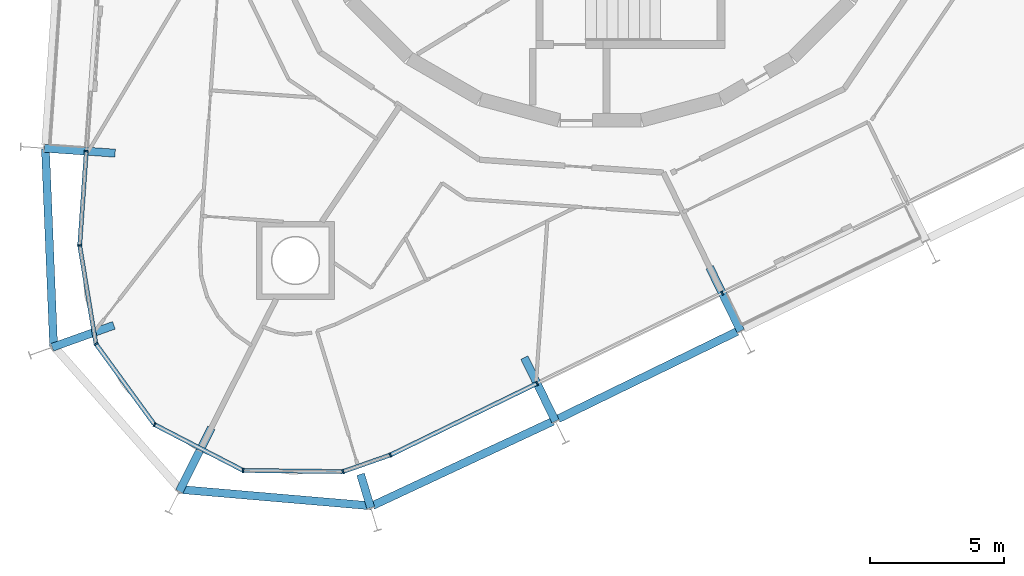
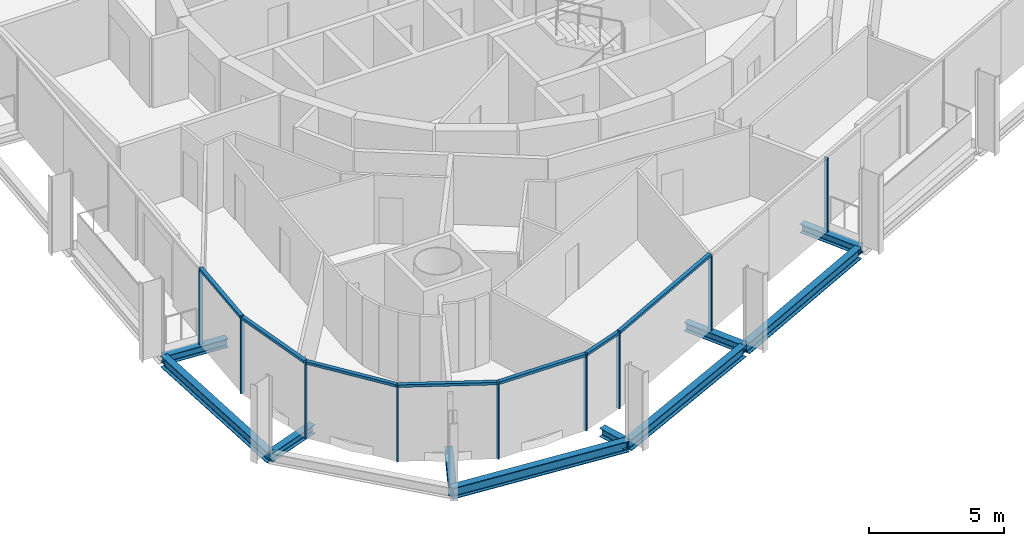
# One storey, part 2 of 17: 16 members, 10 beams, 2 elements without a shape of their own.
"""IFC4 building model written with IfcOpenShell, lengths in metres."""

from ifc_helpers import new_model, si_unit, direction, frame, origin, origin_2d, place, context, subcontext, project, spatial, rectangle, i_section, extrude, material, layer, layer_set, material_profile, profile_set, type_object, element, aggregate, save


model = new_model("IFC4")

# Units and contexts
model_context = context("Model", 3, precision=1e-05, world=origin(), true_north=direction((0.0, 1.0)))
body_context = subcontext(model_context, "Body", "Model", "MODEL_VIEW")
ifc_project = project(units=[si_unit("LENGTHUNIT", "METRE"), si_unit("AREAUNIT", "SQUARE_METRE"), si_unit("VOLUMEUNIT", "CUBIC_METRE"), si_unit("PLANEANGLEUNIT", "RADIAN"), si_unit("MASSUNIT", "GRAM", prefix="KILO")], contexts=[model_context])

# Site, building, storey
site_placement = place(None, origin())
site = spatial("IfcSite", under=ifc_project, at=site_placement, CompositionType="ELEMENT")
building_placement = place(site_placement, origin())
building = spatial("IfcBuilding", under=site, at=building_placement, Name="Spindle Arch Residences", CompositionType="ELEMENT")
storey_placement = place(building_placement, frame((0.0, 0.0, 191.89990234375)))
storey = spatial("IfcBuildingStorey", under=building, at=storey_placement, Name="L48", CompositionType="ELEMENT", Elevation=191.89990234375)

# Curtain wall, members
ifc_material_1 = material(Name="Aluminium bronze unitised frame with tinted glass", Category="aluminium")
ifc_layer_1 = layer(ifc_material_1, 0.159912109375)
ifc_layer_set_1 = layer_set([ifc_layer_1], Name="CW-D corner wall on the fillet arcs")
curtain_wall_type_1 = type_object("IfcCurtainWallType", Name="CW-D corner wall on the fillet arcs", PredefinedType="NOTDEFINED", material=ifc_layer_set_1)
curtain_wall_1_placement = place(storey_placement, origin())
curtain_wall_1 = element("IfcCurtainWall", 1, at=curtain_wall_1_placement, inside=storey, type_object=curtain_wall_type_1, Name="CW-D L48 run 5", PredefinedType="NOTDEFINED")
ifc_material_2 = material(Name="Aluminium bronze anodised mullion", Category="aluminium")
ifc_material_profile_1 = material_profile(ifc_material_2, rectangle(XDim=0.159912109375, YDim=0.06005859375, at=origin_2d()), Name="MU 60x160")
ifc_profile_set_1 = profile_set([ifc_material_profile_1], Name="Aluminium bronze anodised mullion")
member_type_1 = type_object("IfcMemberType", Name="Bronze mullion 60x160", PredefinedType="MULLION", material=ifc_profile_set_1)
member_1_placement = place(storey_placement, frame((-19.2001953125, -12.796875, -0.3798828125), z_axis=(0.0, 0.0, 1.0), x_axis=(0.99756405026, -0.069756473744, 0.0)))
member_1 = element("IfcMember", 2, at=member_1_placement, type_object=member_type_1, Name="CW-D mullion 00", PredefinedType="MULLION", context=body_context, shape_type="SweptSolid", body=[
    extrude(rectangle(XDim=0.159912109375, YDim=0.06005859375, at=origin_2d()), origin(), (0.0, 0.0, 1.0), 3.3798828125),
])
member_2_placement = place(storey_placement, frame((-19.4462890625, -16.31689453125, -0.3798828125), z_axis=(0.0, 0.0, 1.0), x_axis=(0.986761531666, 0.162177925821, 0.0)))
member_2 = element("IfcMember", 3, at=member_2_placement, type_object=member_type_1, Name="CW-D mullion 01", PredefinedType="MULLION", context=body_context, shape_type="SweptSolid", body=[
    extrude(rectangle(XDim=0.159912109375, YDim=0.06005859375, at=origin_2d()), origin(), (0.0, 0.0, 1.0), 3.3798828125),
])
member_3_placement = place(storey_placement, frame((-18.842041015625, -19.994140625, -0.3798828125), z_axis=(0.0, 0.0, 1.0), x_axis=(0.809016992641, 0.587785254679, 0.0)))
member_3 = element("IfcMember", 4, at=member_3_placement, type_object=member_type_1, Name="CW-D mullion 02", PredefinedType="MULLION", context=body_context, shape_type="SweptSolid", body=[
    extrude(rectangle(XDim=0.159912109375, YDim=0.06005859375, at=origin_2d()), origin(), (0.0, 0.0, 1.0), 3.3798828125),
])
member_4_placement = place(storey_placement, frame((-16.6513671875, -23.00927734375, -0.3798828125), z_axis=(0.0, 0.0, 1.0), x_axis=(0.459166453025, 0.88835025098, 0.0)))
member_4 = element("IfcMember", 5, at=member_4_placement, type_object=member_type_1, Name="CW-D mullion 03", PredefinedType="MULLION", context=body_context, shape_type="SweptSolid", body=[
    extrude(rectangle(XDim=0.159912109375, YDim=0.06005859375, at=origin_2d()), origin(), (0.0, 0.0, 1.0), 3.3798828125),
])
member_5_placement = place(storey_placement, frame((-13.3408203125, -24.720458984375, -0.3798828125), z_axis=(0.0, 0.0, 1.0), x_axis=(0.011635263346, 0.999932308032, 0.0)))
member_5 = element("IfcMember", 6, at=member_5_placement, type_object=member_type_1, Name="CW-D mullion 04", PredefinedType="MULLION", context=body_context, shape_type="SweptSolid", body=[
    extrude(rectangle(XDim=0.159912109375, YDim=0.06005859375, at=origin_2d()), origin(), (0.0, 0.0, 1.0), 3.3798828125),
])
member_6_placement = place(storey_placement, frame((-9.6142578125, -24.763916015625, -0.3798828125), z_axis=(0.0, 0.0, 1.0), x_axis=(-0.33106342198, 0.943608504957, 0.0)))
member_6 = element("IfcMember", 7, at=member_6_placement, type_object=member_type_1, Name="CW-D mullion 05", PredefinedType="MULLION", context=body_context, shape_type="SweptSolid", body=[
    extrude(rectangle(XDim=0.159912109375, YDim=0.06005859375, at=origin_2d()), origin(), (0.0, 0.0, 1.0), 3.3798828125),
])
member_7_placement = place(storey_placement, frame((-7.843994140625, -24.142822265625, -0.3798828125), z_axis=(0.0, 0.0, 1.0), x_axis=(-0.438371146789, 0.898794046299, 0.0)))
member_7 = element("IfcMember", 8, at=member_7_placement, type_object=member_type_1, Name="CW-D mullion 06", PredefinedType="MULLION", context=body_context, shape_type="SweptSolid", body=[
    extrude(rectangle(XDim=0.159912109375, YDim=0.06005859375, at=origin_2d()), origin(), (0.0, 0.0, 1.0), 3.3798828125),
])

ifc_material_3 = material(Name="Aluminium bronze unitised frame with tinted glass", Category="aluminium")
ifc_layer_2 = layer(ifc_material_3, 0.159912109375)
ifc_layer_set_2 = layer_set([ifc_layer_2], Name="CW-C typical residential unitised wall")
curtain_wall_type_2 = type_object("IfcCurtainWallType", Name="CW-C typical residential unitised wall", PredefinedType="NOTDEFINED", material=ifc_layer_set_2)
curtain_wall_2_placement = place(storey_placement, origin())
curtain_wall_2 = element("IfcCurtainWall", 9, at=curtain_wall_2_placement, inside=storey, type_object=curtain_wall_type_2, Name="CW-C L48 run 6", PredefinedType="NOTDEFINED")
member_8_placement = place(storey_placement, frame((-2.36767578125, -21.4716796875, -0.3798828125), z_axis=(0.0, 0.0, 1.0), x_axis=(-0.438371146789, 0.898794046299, 0.0)))
member_8 = element("IfcMember", 10, at=member_8_placement, type_object=member_type_1, Name="CW-C mullion 20", PredefinedType="MULLION", context=body_context, shape_type="SweptSolid", body=[
    extrude(rectangle(XDim=0.159912109375, YDim=0.06005859375, at=origin_2d()), origin(), (0.0, 0.0, 1.0), 3.3798828125),
])
member_9_placement = place(storey_placement, frame((4.54736328125, -18.09912109375, -0.3798828125), z_axis=(0.0, 0.0, 1.0), x_axis=(-0.438371146789, 0.898794046299, 0.0)))
member_9 = element("IfcMember", 11, at=member_9_placement, type_object=member_type_1, Name="CW-C mullion 21", PredefinedType="MULLION", context=body_context, shape_type="SweptSolid", body=[
    extrude(rectangle(XDim=0.159912109375, YDim=0.06005859375, at=origin_2d()), origin(), (0.0, 0.0, 1.0), 3.3798828125),
])
aggregate(curtain_wall_2, [member_8, member_9])

# Member
ifc_material_4 = material(Name="Aluminium bronze anodised transom", Category="aluminium")
ifc_material_profile_2 = material_profile(ifc_material_4, rectangle(XDim=0.159912109375, YDim=0.1201171875, at=origin_2d()), Name="TR 120x160")
ifc_profile_set_2 = profile_set([ifc_material_profile_2], Name="Aluminium bronze anodised transom")
member_type_2 = type_object("IfcMemberType", Name="Bronze transom 120x160", PredefinedType="USERDEFINED", material=ifc_profile_set_2)
member_10_placement = place(storey_placement, frame((-19.202392578125, -12.826904296875, 3.06005859375), z_axis=(-0.069756279092, -0.997564063871, 0.0), x_axis=(0.997564063871, -0.069756279092, 0.0)))
member_10 = element("IfcMember", 12, at=member_10_placement, type_object=member_type_2, Name="CW-D transom 00", ObjectType="TRANSOM", PredefinedType="USERDEFINED", context=body_context, shape_type="SweptSolid", body=[
    extrude(rectangle(XDim=0.159912109375, YDim=0.1201171875, at=origin_2d()), origin(), (0.0, 0.0, 1.0), 3.468505859375),
])

member_11_placement = place(storey_placement, frame((-19.44140625, -16.346435546875, 3.06005859375), z_axis=(0.162131110814, -0.986769224746, 0.0), x_axis=(0.986769224746, 0.162131110814, 0.0)))
member_11 = element("IfcMember", 13, at=member_11_placement, type_object=member_type_2, Name="CW-D transom 01", ObjectType="TRANSOM", PredefinedType="USERDEFINED", context=body_context, shape_type="SweptSolid", body=[
    extrude(rectangle(XDim=0.159912109375, YDim=0.1201171875, at=origin_2d()), origin(), (0.0, 0.0, 1.0), 3.666748046875),
])

member_12_placement = place(storey_placement, frame((-18.82421875, -20.0185546875, 3.06005859375), z_axis=(0.587807403161, -0.809000900363, 0.0), x_axis=(0.809000900363, 0.587807403161, 0.0)))
member_12 = element("IfcMember", 14, at=member_12_placement, type_object=member_type_2, Name="CW-D transom 02", ObjectType="TRANSOM", PredefinedType="USERDEFINED", context=body_context, shape_type="SweptSolid", body=[
    extrude(rectangle(XDim=0.159912109375, YDim=0.1201171875, at=origin_2d()), origin(), (0.0, 0.0, 1.0), 3.666748046875),
])

member_13_placement = place(storey_placement, frame((-16.624755859375, -23.02294921875, 3.06005859375), z_axis=(0.888327233371, -0.459210982503, 0.0), x_axis=(0.459210982503, 0.888327233371, 0.0)))
member_13 = element("IfcMember", 15, at=member_13_placement, type_object=member_type_2, Name="CW-D transom 03", ObjectType="TRANSOM", PredefinedType="USERDEFINED", context=body_context, shape_type="SweptSolid", body=[
    extrude(rectangle(XDim=0.159912109375, YDim=0.1201171875, at=origin_2d()), origin(), (0.0, 0.0, 1.0), 3.666748046875),
])

member_14_placement = place(storey_placement, frame((-13.310791015625, -24.720703125, 3.06005859375), z_axis=(0.999932114398, -0.011651892397, 0.0), x_axis=(0.011651892397, 0.999932114398, 0.0)))
member_14 = element("IfcMember", 16, at=member_14_placement, type_object=member_type_2, Name="CW-D transom 04", ObjectType="TRANSOM", PredefinedType="USERDEFINED", context=body_context, shape_type="SweptSolid", body=[
    extrude(rectangle(XDim=0.159912109375, YDim=0.1201171875, at=origin_2d()), origin(), (0.0, 0.0, 1.0), 3.666748046875),
])

member_15_placement = place(storey_placement, frame((-9.5859375, -24.75390625, 3.06005859375), z_axis=(0.943591876762, 0.331110812432, 0.0), x_axis=(-0.331110812432, 0.943591876762, 0.0)))
member_15 = element("IfcMember", 17, at=member_15_placement, type_object=member_type_2, Name="CW-D transom 05", ObjectType="TRANSOM", PredefinedType="USERDEFINED", context=body_context, shape_type="SweptSolid", body=[
    extrude(rectangle(XDim=0.159912109375, YDim=0.1201171875, at=origin_2d()), origin(), (0.0, 0.0, 1.0), 1.816162109375),
])

member_16_placement = place(storey_placement, frame((-7.81689453125, -24.129638671875, 3.06005859375), z_axis=(0.898786724344, 0.438386158704, 0.0), x_axis=(-0.438386158704, 0.898786724344, 0.0)))
member_16 = element("IfcMember", 18, at=member_16_placement, type_object=member_type_2, Name="CW-D transom 06", ObjectType="TRANSOM", PredefinedType="USERDEFINED", context=body_context, shape_type="SweptSolid", body=[
    extrude(rectangle(XDim=0.159912109375, YDim=0.1201171875, at=origin_2d()), origin(), (0.0, 0.0, 1.0), 6.032958984375),
])

aggregate(curtain_wall_1, [member_1, member_10, member_2, member_11, member_3, member_12, member_4, member_13, member_5, member_14, member_6, member_15, member_7, member_16])

# Beams
ifc_material_5 = material(Name="Steel S460ML, intumescent coating R 120", Category="steel")
ifc_material_profile_3 = material_profile(ifc_material_5, i_section(OverallWidth=0.300048828125, OverallDepth=0.5, WebThickness=0.014404296875, FlangeThickness=0.028076171875, FilletRadius=0.027099609375, at=origin_2d()), Name="HEB 500")
ifc_profile_set_3 = profile_set([ifc_material_profile_3], Name="Steel S460ML, intumescent coating R 120")
beam_type_1 = type_object("IfcBeamType", Name="Exoskeleton edge beam HEB 500", PredefinedType="BEAM", material=ifc_profile_set_3)
beam_1_placement = place(storey_placement, frame((-20.724609375, -12.719482421875, -0.6298828125), z_axis=(0.041509189308, -0.999138122185, 0.0), x_axis=(0.999138122185, 0.041509189308, 0.0)))
element("IfcBeam", 19, at=beam_1_placement, inside=storey, type_object=beam_type_1, Name="Exoskeleton edge beam 17", PredefinedType="BEAM", context=body_context, shape_type="SweptSolid", body=[
    extrude(i_section(OverallWidth=0.300048828125, OverallDepth=0.5, WebThickness=0.014404296875, FlangeThickness=0.028076171875, FilletRadius=0.027099609375, at=origin_2d()), origin(), (0.0, 0.0, 1.0), 7.36376953125),
])
beam_2_placement = place(storey_placement, frame((-15.7568359375, -25.42431640625, -0.6298828125), z_axis=(0.996340259924, -0.085475648313, 0.0), x_axis=(0.085475648313, 0.996340259924, 0.0)))
element("IfcBeam", 20, at=beam_2_placement, inside=storey, type_object=beam_type_1, Name="Exoskeleton edge beam 19", PredefinedType="BEAM", context=body_context, shape_type="SweptSolid", body=[
    extrude(i_section(OverallWidth=0.300048828125, OverallDepth=0.5, WebThickness=0.014404296875, FlangeThickness=0.028076171875, FilletRadius=0.027099609375, at=origin_2d()), origin(), (0.0, 0.0, 1.0), 7.249267578125),
])
beam_3_placement = place(storey_placement, frame((-8.508056640625, -26.0322265625, -0.6298828125), z_axis=(0.905883990605, 0.423525908966, 0.0), x_axis=(-0.423525908966, 0.905883990605, 0.0)))
element("IfcBeam", 21, at=beam_3_placement, inside=storey, type_object=beam_type_1, Name="Exoskeleton edge beam 20", PredefinedType="BEAM", context=body_context, shape_type="SweptSolid", body=[
    extrude(i_section(OverallWidth=0.300048828125, OverallDepth=0.5, WebThickness=0.014404296875, FlangeThickness=0.028076171875, FilletRadius=0.027099609375, at=origin_2d()), origin(), (0.0, 0.0, 1.0), 7.42822265625),
])
beam_4_placement = place(storey_placement, frame((-1.580078125, -22.789794921875, -0.6298828125), z_axis=(0.898804110297, 0.438350511935, 0.0), x_axis=(-0.438350511935, 0.898804110297, 0.0)))
element("IfcBeam", 22, at=beam_4_placement, inside=storey, type_object=beam_type_1, Name="Exoskeleton edge beam 21", PredefinedType="BEAM", context=body_context, shape_type="SweptSolid", body=[
    extrude(i_section(OverallWidth=0.300048828125, OverallDepth=0.5, WebThickness=0.014404296875, FlangeThickness=0.028076171875, FilletRadius=0.027099609375, at=origin_2d()), origin(), (0.0, 0.0, 1.0), 7.43359375),
])
ifc_material_6 = material(Name="Steel S460ML, intumescent coating R 120", Category="steel")
ifc_material_profile_4 = material_profile(ifc_material_6, i_section(OverallWidth=0.300048828125, OverallDepth=0.389892578125, WebThickness=0.010986328125, FlangeThickness=0.01904296875, FilletRadius=0.027099609375, at=origin_2d()), Name="HEA 400")
ifc_profile_set_4 = profile_set([ifc_material_profile_4], Name="Steel S460ML, intumescent coating R 120")
beam_type_2 = type_object("IfcBeamType", Name="Floor outrigger HEA 400", PredefinedType="BEAM", material=ifc_profile_set_4)
beam_5_placement = place(storey_placement, frame((-20.766357421875, -12.6875, -0.574951171875), z_axis=(0.997565124092, -0.069741115528, 0.0), x_axis=(0.069741115528, 0.997565124092, 0.0)))
element("IfcBeam", 23, at=beam_5_placement, inside=storey, type_object=beam_type_2, Name="Floor outrigger 17", PredefinedType="BEAM", context=body_context, shape_type="SweptSolid", body=[
    extrude(i_section(OverallWidth=0.300048828125, OverallDepth=0.389892578125, WebThickness=0.010986328125, FlangeThickness=0.01904296875, FilletRadius=0.027099609375, at=origin_2d()), origin(), (0.0, 0.0, 1.0), 2.64990234375),
])
beam_6_placement = place(storey_placement, frame((-20.475341796875, -20.1220703125, -0.574951171875), z_axis=(0.941908704104, 0.335869011868, 0.0), x_axis=(-0.335869011868, 0.941908704104, 0.0)))
element("IfcBeam", 24, at=beam_6_placement, inside=storey, type_object=beam_type_2, Name="Floor outrigger 18", PredefinedType="BEAM", context=body_context, shape_type="SweptSolid", body=[
    extrude(i_section(OverallWidth=0.300048828125, OverallDepth=0.389892578125, WebThickness=0.010986328125, FlangeThickness=0.01904296875, FilletRadius=0.027099609375, at=origin_2d()), origin(), (0.0, 0.0, 1.0), 2.448974609375),
])
beam_7_placement = place(storey_placement, frame((-15.725830078125, -25.49951171875, -0.574951171875), z_axis=(0.449717951116, 0.893170624486, 0.0), x_axis=(-0.893170624486, 0.449717951116, 0.0)))
element("IfcBeam", 25, at=beam_7_placement, inside=storey, type_object=beam_type_2, Name="Floor outrigger 19", PredefinedType="BEAM", context=body_context, shape_type="SweptSolid", body=[
    extrude(i_section(OverallWidth=0.300048828125, OverallDepth=0.389892578125, WebThickness=0.010986328125, FlangeThickness=0.01904296875, FilletRadius=0.027099609375, at=origin_2d()), origin(), (0.0, 0.0, 1.0), 2.649658203125),
])
beam_8_placement = place(storey_placement, frame((-8.57763671875, -26.11279296875, -0.574951171875), z_axis=(-0.291027903823, 0.956714565164, 0.0), x_axis=(-0.956714565164, -0.291027903823, 0.0)))
element("IfcBeam", 26, at=beam_8_placement, inside=storey, type_object=beam_type_2, Name="Floor outrigger 20", PredefinedType="BEAM", context=body_context, shape_type="SweptSolid", body=[
    extrude(i_section(OverallWidth=0.300048828125, OverallDepth=0.389892578125, WebThickness=0.010986328125, FlangeThickness=0.01904296875, FilletRadius=0.027099609375, at=origin_2d()), origin(), (0.0, 0.0, 1.0), 1.307861328125),
])
for number, where, z_axis, x_axis, name in (
    (27, (-1.679443359375, -22.8828125, -0.574951171875), (-0.438347395329, 0.898805630272, 0.0), (-0.898805630272, -0.438347395329, 0.0), "Floor outrigger 21"),
    (28, (5.235595703125, -19.510009765625, -0.574951171875), (-0.438383695602, 0.898787925725, 0.0), (-0.898787925725, -0.438383695602, 0.0), "Floor outrigger 22"),
):
    element("IfcBeam", number, at=place(storey_placement, frame(where, z_axis=z_axis, x_axis=x_axis)), inside=storey, type_object=beam_type_2, Name=name, PredefinedType="BEAM", context=body_context, shape_type="SweptSolid", body=[
        extrude(i_section(OverallWidth=0.300048828125, OverallDepth=0.389892578125, WebThickness=0.010986328125, FlangeThickness=0.01904296875, FilletRadius=0.027099609375, at=origin_2d()), origin(), (0.0, 0.0, 1.0), 2.64990234375),
    ])

save(model, "model.ifc")
